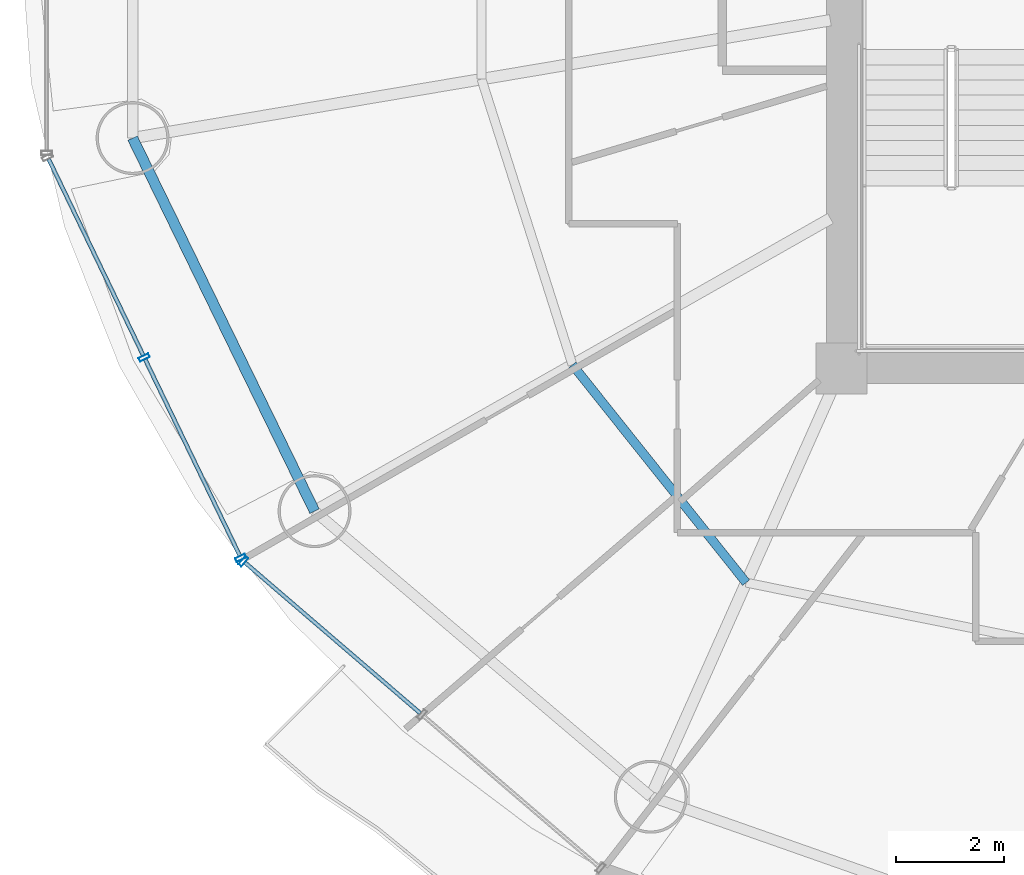
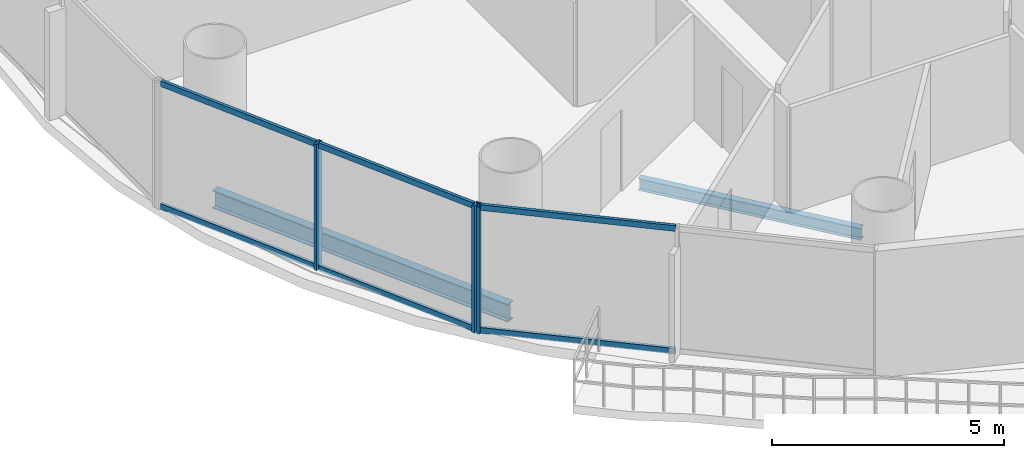
# One storey, part 3 of 27: 9 members, 2 beams, 2 elements without a shape of their own.
"""IFC4 building model written with IfcOpenShell, lengths in metres."""

from ifc_helpers import new_model, si_unit, direction, frame, origin, origin_2d, place, context, subcontext, project, spatial, hollow_rectangle, i_section, extrude, source, transform, mapped, material, material_profile, profile_set, type_object, element, aggregate, save


model = new_model("IFC4")

# Units and contexts
model_context = context("Model", 3, precision=1e-05, world=origin(), true_north=direction((-0.2419218956, 0.970295726276)))
body_context = subcontext(model_context, "Body", "Model", "MODEL_VIEW")
ifc_project = project(units=[si_unit("LENGTHUNIT", "METRE"), si_unit("AREAUNIT", "SQUARE_METRE"), si_unit("VOLUMEUNIT", "CUBIC_METRE"), si_unit("PLANEANGLEUNIT", "RADIAN"), si_unit("MASSUNIT", "GRAM", prefix="KILO")], contexts=[model_context])

# Site, building, storey
site_placement = place(None, origin())
site = spatial("IfcSite", under=ifc_project, at=site_placement, CompositionType="ELEMENT")
building_placement = place(site_placement, origin())
building = spatial("IfcBuilding", under=site, at=building_placement, Name="Cobrevalo Terracotta Tower", CompositionType="ELEMENT")
storey_placement = place(building_placement, frame((0.0, 0.0, 164.199951171875)))
storey = spatial("IfcBuildingStorey", under=building, at=storey_placement, Name="L43", CompositionType="ELEMENT", Elevation=164.199951171875)

# Beams
ifc_material_1 = material(Name="Steel S355", Category="steel")
ifc_material_profile_1 = material_profile(ifc_material_1, i_section(OverallWidth=0.1650390625, OverallDepth=0.31005859375, WebThickness=0.005859375, FlangeThickness=0.009765625, at=origin_2d()), Name="W 310x38.7")
ifc_profile_set_1 = profile_set([ifc_material_profile_1], Name="Steel S355")
beam_type_1 = type_object("IfcBeamType", Name="Structural Joist W 310x38.7 (Steel S355)", PredefinedType="JOIST", material=ifc_profile_set_1)
beam_1_placement = place(storey_placement, frame((24.022705078125, 18.868896484375, -0.425048828125), z_axis=(0.623382939397, -0.781916690492, 0.0), x_axis=(0.781916690492, 0.623382939397, 0.0)))
element("IfcBeam", 1, at=beam_1_placement, inside=storey, type_object=beam_type_1, Name="L43 circumferential secondary floor joist 10", PredefinedType="JOIST", context=body_context, shape_type="SweptSolid", body=[
    extrude(i_section(OverallWidth=0.1650390625, OverallDepth=0.31005859375, WebThickness=0.005859375, FlangeThickness=0.009765625, at=origin_2d()), origin(), (0.0, 0.0, 1.0), 5.154296875),
])
ifc_material_profile_2 = material_profile(ifc_material_1, i_section(OverallWidth=0.194091796875, OverallDepth=0.468994140625, WebThickness=0.011474609375, FlangeThickness=0.0205078125, at=origin_2d()), Name="W 460x106")
ifc_profile_set_2 = profile_set([ifc_material_profile_2], Name="Steel S355")
beam_type_2 = type_object("IfcBeamType", Name="Structural Spandrel W 460x106 (Steel S355)", PredefinedType="SPANDREL", material=ifc_profile_set_2)
beam_2_placement = place(storey_placement, frame((15.88330078125, 23.06396484375, -0.50439453125), z_axis=(0.438380418332, -0.898789524206, 0.0), x_axis=(0.898789524206, 0.438380418332, 0.0)))
element("IfcBeam", 2, at=beam_2_placement, inside=storey, type_object=beam_type_2, Name="L43 perimeter ring spandrel 09", PredefinedType="SPANDREL", context=body_context, shape_type="SweptSolid", body=[
    extrude(i_section(OverallWidth=0.194091796875, OverallDepth=0.468994140625, WebThickness=0.011474609375, FlangeThickness=0.0205078125, at=origin_2d()), origin(), (0.0, 0.0, 1.0), 7.680419921875),
])

# Curtain wall, members
ifc_material_2 = material(Name="Anodized aluminium", Category="aluminium")
curtain_wall_type = type_object("IfcCurtainWallType", Name="Mid-tower high-wind unitised curtain wall CW-U2", PredefinedType="NOTDEFINED", material=ifc_material_2)
curtain_wall_1_placement = place(storey_placement, origin())
curtain_wall_1 = element("IfcCurtainWall", 3, at=curtain_wall_1_placement, inside=storey, type_object=curtain_wall_type, Name="L43 curtain wall CW-L43-S09", PredefinedType="NOTDEFINED")
ifc_material_profile_3 = material_profile(ifc_material_2, hollow_rectangle(XDim=0.074951171875, YDim=0.199951171875, WallThickness=0.0048828125, at=origin_2d()), Name="CWM 75x200")
ifc_profile_set_3 = profile_set([ifc_material_profile_3], Name="Anodized aluminium")
member_type_1 = type_object("IfcMemberType", Name="Lower/mid tower unitised mullion 75x200", PredefinedType="MULLION", material=ifc_profile_set_3)
shared_shape_1 = source(origin(), body_context, "Body", "SweptSolid", [
    extrude(hollow_rectangle(XDim=0.074951171875, YDim=0.199951171875, WallThickness=0.0048828125, at=origin_2d()), origin(), (0.0, 0.0, 1.0), 3.330078125),
])
member_1_placement = place(storey_placement, frame((16.098876953125, 19.00439453125, 0.0), z_axis=(0.0, 0.0, 1.0), x_axis=(0.434209440271, -0.900811945957, 0.0)))
member_1 = element("IfcMember", 4, at=member_1_placement, type_object=member_type_1, Name="CW-L43-S09 vertical mullion 02", PredefinedType="MULLION", context=body_context, shape_type="MappedRepresentation", body=[
    mapped(shared_shape_1, transform((0.0, 0.0, 0.0), scale=1.0)),
])
member_2_placement = place(storey_placement, frame((17.885986328125, 15.296875, 0.0), z_axis=(0.0, 0.0, 1.0), x_axis=(0.434209440271, -0.900811945957, 0.0)))
member_2 = element("IfcMember", 5, at=member_2_placement, type_object=member_type_1, Name="CW-L43-S09 vertical mullion 03", PredefinedType="MULLION", context=body_context, shape_type="MappedRepresentation", body=[
    mapped(shared_shape_1, transform((0.0, 0.0, 0.0), scale=1.0)),
])

curtain_wall_2_placement = place(storey_placement, origin())
curtain_wall_2 = element("IfcCurtainWall", 6, at=curtain_wall_2_placement, inside=storey, type_object=curtain_wall_type, Name="L43 curtain wall CW-L43-S10", PredefinedType="NOTDEFINED")
member_3_placement = place(storey_placement, frame((17.933837890625, 15.234619140625, 0.0), z_axis=(0.0, 0.0, 1.0), x_axis=(0.758441546142, -0.65174106905, 0.0)))
member_3 = element("IfcMember", 7, at=member_3_placement, type_object=member_type_1, Name="CW-L43-S10 vertical mullion 01", PredefinedType="MULLION", context=body_context, shape_type="MappedRepresentation", body=[
    mapped(shared_shape_1, transform((0.0, 0.0, 0.0), scale=1.0)),
])
ifc_material_profile_4 = material_profile(ifc_material_2, hollow_rectangle(XDim=0.074951171875, YDim=0.14990234375, WallThickness=0.00439453125, at=origin_2d()), Name="CWT 75x150")
ifc_profile_set_4 = profile_set([ifc_material_profile_4], Name="Anodized aluminium")
member_type_2 = type_object("IfcMemberType", Name="Tower unitised aluminium transom 75x150", PredefinedType="USERDEFINED", material=ifc_profile_set_4)
shared_shape_2 = source(origin(), body_context, "Body", "SweptSolid", [
    extrude(hollow_rectangle(XDim=0.074951171875, YDim=0.14990234375, WallThickness=0.00439453125, at=origin_2d()), origin(), (0.0, 0.0, 1.0), 4.276123046875),
])
member_4_placement = place(storey_placement, frame((17.964111328125, 15.208740234375, 0.050048828125), z_axis=(0.758417719247, -0.651768795764, 0.0), x_axis=(0.651768795764, 0.758417719247, 0.0)))
member_4 = element("IfcMember", 8, at=member_4_placement, type_object=member_type_2, Name="CW-L43-S10 transom B01-T1", ObjectType="TRANSOM", PredefinedType="USERDEFINED", context=body_context, shape_type="MappedRepresentation", body=[
    mapped(shared_shape_2, transform((0.0, 0.0, 0.0), scale=1.0)),
])
member_5_placement = place(storey_placement, frame((17.964111328125, 15.208740234375, 3.280029296875), z_axis=(0.758417719247, -0.651768795764, 0.0), x_axis=(0.651768795764, 0.758417719247, 0.0)))
member_5 = element("IfcMember", 9, at=member_5_placement, type_object=member_type_2, Name="CW-L43-S10 transom B01-T2", ObjectType="TRANSOM", PredefinedType="USERDEFINED", context=body_context, shape_type="MappedRepresentation", body=[
    mapped(shared_shape_2, transform((0.0, 0.0, 0.0), scale=1.0)),
])
aggregate(curtain_wall_2, [member_3, member_4, member_5])

# Member
shared_shape_3 = source(origin(), body_context, "Body", "SweptSolid", [
    extrude(hollow_rectangle(XDim=0.074951171875, YDim=0.14990234375, WallThickness=0.00439453125, at=origin_2d()), origin(), (0.0, 0.0, 1.0), 4.035888671875),
])
member_6_placement = place(storey_placement, frame((14.3291015625, 22.676025390625, 0.050048828125), z_axis=(0.434221176581, -0.900806288726, 0.0), x_axis=(0.900806288726, 0.434221176581, 0.0)))
member_6 = element("IfcMember", 10, at=member_6_placement, type_object=member_type_2, Name="CW-L43-S09 transom B01-T1", ObjectType="TRANSOM", PredefinedType="USERDEFINED", context=body_context, shape_type="MappedRepresentation", body=[
    mapped(shared_shape_3, transform((0.0, 0.0, 0.0), scale=1.0)),
])

member_7_placement = place(storey_placement, frame((14.3291015625, 22.676025390625, 3.280029296875), z_axis=(0.434221176581, -0.900806288726, 0.0), x_axis=(0.900806288726, 0.434221176581, 0.0)))
member_7 = element("IfcMember", 11, at=member_7_placement, type_object=member_type_2, Name="CW-L43-S09 transom B01-T2", ObjectType="TRANSOM", PredefinedType="USERDEFINED", context=body_context, shape_type="MappedRepresentation", body=[
    mapped(shared_shape_3, transform((0.0, 0.0, 0.0), scale=1.0)),
])

member_8_placement = place(storey_placement, frame((16.1162109375, 18.96826171875, 0.050048828125), z_axis=(0.434221176581, -0.900806288726, 0.0), x_axis=(0.900806288726, 0.434221176581, 0.0)))
member_8 = element("IfcMember", 12, at=member_8_placement, type_object=member_type_2, Name="CW-L43-S09 transom B02-T1", ObjectType="TRANSOM", PredefinedType="USERDEFINED", context=body_context, shape_type="MappedRepresentation", body=[
    mapped(shared_shape_3, transform((0.0, 0.0, 0.0), scale=1.0)),
])

member_9_placement = place(storey_placement, frame((16.1162109375, 18.96826171875, 3.280029296875), z_axis=(0.434221176581, -0.900806288726, 0.0), x_axis=(0.900806288726, 0.434221176581, 0.0)))
member_9 = element("IfcMember", 13, at=member_9_placement, type_object=member_type_2, Name="CW-L43-S09 transom B02-T2", ObjectType="TRANSOM", PredefinedType="USERDEFINED", context=body_context, shape_type="MappedRepresentation", body=[
    mapped(shared_shape_3, transform((0.0, 0.0, 0.0), scale=1.0)),
])

aggregate(curtain_wall_1, [member_1, member_2, member_6, member_7, member_8, member_9])

save(model, "model.ifc")
